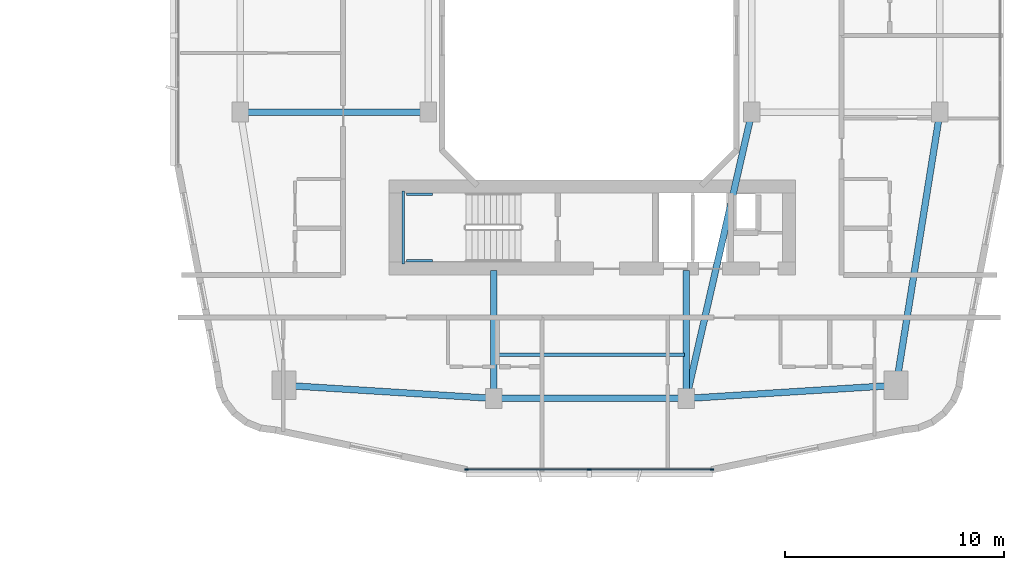
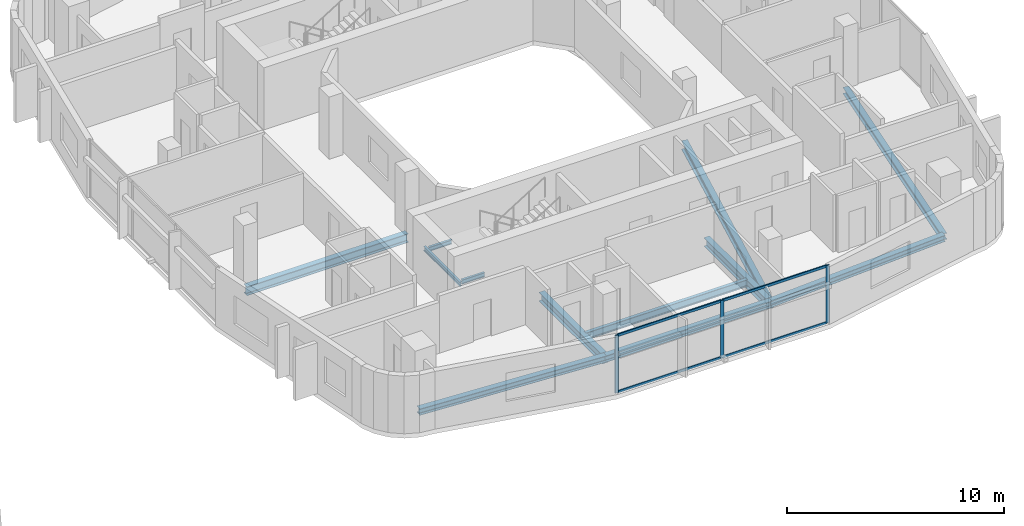
# One storey, part 8 of 27: 12 beams, 7 members, 1 element without a shape of its own.
"""IFC4 building model written with IfcOpenShell, lengths in metres."""

from ifc_helpers import new_model, si_unit, derived_unit, direction, frame, origin, origin_2d, place, context, subcontext, project, spatial, rectangle, i_section, extrude, material, layer, layer_set, material_profile, profile_set, type_object, element, aggregate, save


model = new_model("IFC4")

# Units and contexts
model_context = context("Model", 3, precision=1e-05, world=origin(), true_north=direction((0.0, 1.0)))
body_context = subcontext(model_context, "Body", "Model", "MODEL_VIEW")
ifc_project = project(units=[si_unit("LENGTHUNIT", "METRE"), si_unit("AREAUNIT", "SQUARE_METRE"), si_unit("VOLUMEUNIT", "CUBIC_METRE"), si_unit("PLANEANGLEUNIT", "RADIAN"), si_unit("MASSUNIT", "GRAM", prefix="KILO"), derived_unit("THERMALTRANSMITTANCEUNIT", [(si_unit("POWERUNIT", "WATT"), 1), (si_unit("LENGTHUNIT", "METRE"), -2), (si_unit("THERMODYNAMICTEMPERATUREUNIT", "KELVIN"), -1)])], contexts=[model_context])

# Site, building, storey
site_placement = place(None, origin())
site = spatial("IfcSite", under=ifc_project, at=site_placement, CompositionType="ELEMENT")
building_placement = place(site_placement, origin())
building = spatial("IfcBuilding", under=site, at=building_placement, Name="Kivonza Crest Hotel", CompositionType="ELEMENT")
storey_placement = place(building_placement, frame((0.0, 0.0, 34.5)))
storey = spatial("IfcBuildingStorey", under=building, at=storey_placement, Name="L08", CompositionType="ELEMENT", Elevation=34.5)

# Beams
ifc_material_1 = material(Name="Steel S355", Category="steel")
ifc_material_profile_1 = material_profile(ifc_material_1, i_section(OverallWidth=0.300048828125, OverallDepth=0.360107421875, WebThickness=0.012451171875, FlangeThickness=0.0224609375, FilletRadius=0.027099609375, at=origin_2d()), Name="HEB 360")
ifc_profile_set_1 = profile_set([ifc_material_profile_1], Name="Steel S355")
beam_type_1 = type_object("IfcBeamType", Name="BM-HEB360", PredefinedType="SPANDREL", material=ifc_profile_set_1)
beam_1_placement = place(storey_placement, frame((72.60009765625, 8.39990234375, -0.429931640625), z_axis=(1.0, 0.0, 0.0), x_axis=(0.0, 1.0, 0.0)))
element("IfcBeam", 1, at=beam_1_placement, inside=storey, type_object=beam_type_1, Name="Companion Tower T2 L08 perimeter spandrel S1-S2", PredefinedType="SPANDREL", context=body_context, shape_type="SweptSolid", body=[
    extrude(i_section(OverallWidth=0.300048828125, OverallDepth=0.360107421875, WebThickness=0.012451171875, FlangeThickness=0.0224609375, FilletRadius=0.027099609375, at=origin_2d()), origin(), (0.0, 0.0, 1.0), 8.7998046875),
])
beam_2_placement = place(storey_placement, frame((81.39990234375, 8.39990234375, -0.429931640625), z_axis=(0.998051985873, 0.062387767186, 0.0), x_axis=(-0.062387767186, 0.998051985873, 0.0)))
element("IfcBeam", 2, at=beam_2_placement, inside=storey, type_object=beam_type_1, Name="Companion Tower T2 L08 perimeter spandrel S2-SE", PredefinedType="SPANDREL", context=body_context, shape_type="SweptSolid", body=[
    extrude(i_section(OverallWidth=0.300048828125, OverallDepth=0.360107421875, WebThickness=0.012451171875, FlangeThickness=0.0224609375, FilletRadius=0.027099609375, at=origin_2d()), origin(), (0.0, 0.0, 1.0), 9.618896484375),
])
beam_3_placement = place(storey_placement, frame((91.0, 9.0, -0.429931640625), z_axis=(0.157990501107, 0.987440631917, 0.0), x_axis=(-0.987440631917, 0.157990501107, 0.0)))
element("IfcBeam", 3, at=beam_3_placement, inside=storey, type_object=beam_type_1, Name="Companion Tower T2 L08 perimeter spandrel SE-E1", PredefinedType="SPANDREL", context=body_context, shape_type="SweptSolid", body=[
    extrude(i_section(OverallWidth=0.300048828125, OverallDepth=0.360107421875, WebThickness=0.012451171875, FlangeThickness=0.0224609375, FilletRadius=0.027099609375, at=origin_2d()), origin(), (0.0, 0.0, 1.0), 12.658935546875),
])
beam_4_placement = place(storey_placement, frame((63.0, 9.0, -0.429931640625), z_axis=(0.998051985873, -0.062387767186, 0.0), x_axis=(0.062387767186, 0.998051985873, 0.0)))
element("IfcBeam", 4, at=beam_4_placement, inside=storey, type_object=beam_type_1, Name="Companion Tower T2 L08 perimeter spandrel SW-S1", PredefinedType="SPANDREL", context=body_context, shape_type="SweptSolid", body=[
    extrude(i_section(OverallWidth=0.300048828125, OverallDepth=0.360107421875, WebThickness=0.012451171875, FlangeThickness=0.0224609375, FilletRadius=0.027099609375, at=origin_2d()), origin(), (0.0, 0.0, 1.0), 9.618896484375),
])
ifc_material_profile_2 = material_profile(ifc_material_1, i_section(OverallWidth=0.300048828125, OverallDepth=0.5, WebThickness=0.014404296875, FlangeThickness=0.028076171875, FilletRadius=0.027099609375, at=origin_2d()), Name="HEB 500")
ifc_profile_set_2 = profile_set([ifc_material_profile_2], Name="Steel S355")
beam_type_2 = type_object("IfcBeamType", Name="BM-HEB500", PredefinedType="BEAM", material=ifc_profile_set_2)
beam_5_placement = place(storey_placement, frame((61.0, 21.5, -0.5), z_axis=(1.0, 0.0, 0.0), x_axis=(0.0, 1.0, 0.0)))
element("IfcBeam", 5, at=beam_5_placement, inside=storey, type_object=beam_type_2, Name="Companion Tower T2 L08 girder W1-WL1", PredefinedType="BEAM", context=body_context, shape_type="SweptSolid", body=[
    extrude(i_section(OverallWidth=0.300048828125, OverallDepth=0.5, WebThickness=0.014404296875, FlangeThickness=0.028076171875, FilletRadius=0.027099609375, at=origin_2d()), origin(), (0.0, 0.0, 1.0), 8.60009765625),
])
beam_6_placement = place(storey_placement, frame((84.39990234375, 21.5, -0.5), z_axis=(-0.223227287589, -0.974766422317, 0.0), x_axis=(0.974766422317, -0.223227287589, 0.0)))
element("IfcBeam", 6, at=beam_6_placement, inside=storey, type_object=beam_type_2, Name="Companion Tower T2 L08 girder WR1-S2", PredefinedType="BEAM", context=body_context, shape_type="SweptSolid", body=[
    extrude(i_section(OverallWidth=0.300048828125, OverallDepth=0.5, WebThickness=0.014404296875, FlangeThickness=0.028076171875, FilletRadius=0.027099609375, at=origin_2d()), origin(), (0.0, 0.0, 1.0), 13.439208984375),
])
for number, where, z_axis, x_axis, name in (
    (7, (72.60009765625, 8.39990234375, -0.5), (0.0, 1.0, 0.0), (-1.0, 0.0, 0.0), "Companion T2 L08 radial core girder RS1"),
    (8, (81.39990234375, 8.39990234375, -0.5), (0.0, 1.0, 0.0), (-1.0, 0.0, 0.0), "Companion T2 L08 radial core girder RS2"),
):
    element("IfcBeam", number, at=place(storey_placement, frame(where, z_axis=z_axis, x_axis=x_axis)), inside=storey, type_object=beam_type_2, Name=name, PredefinedType="BEAM", context=body_context, shape_type="SweptSolid", body=[
        extrude(i_section(OverallWidth=0.300048828125, OverallDepth=0.5, WebThickness=0.014404296875, FlangeThickness=0.028076171875, FilletRadius=0.027099609375, at=origin_2d()), origin(), (0.0, 0.0, 1.0), 5.85009765625),
    ])
ifc_material_profile_3 = material_profile(ifc_material_1, i_section(OverallWidth=0.179931640625, OverallDepth=0.39990234375, WebThickness=0.008544921875, FlangeThickness=0.013427734375, FilletRadius=0.02099609375, at=origin_2d()), Name="IPE 400")
ifc_profile_set_3 = profile_set([ifc_material_profile_3], Name="Steel S355")
beam_type_3 = type_object("IfcBeamType", Name="BM-IPE400", PredefinedType="JOIST", material=ifc_profile_set_3)
beam_7_placement = place(storey_placement, frame((72.679931640625, 10.39990234375, -0.449951171875), z_axis=(1.0, 0.0, 0.0), x_axis=(0.0, 1.0, 0.0)))
element("IfcBeam", 9, at=beam_7_placement, inside=storey, type_object=beam_type_3, Name="Companion Tower T2 L08 South floor joist", PredefinedType="JOIST", context=body_context, shape_type="SweptSolid", body=[
    extrude(i_section(OverallWidth=0.179931640625, OverallDepth=0.39990234375, WebThickness=0.008544921875, FlangeThickness=0.013427734375, FilletRadius=0.02099609375, at=origin_2d()), origin(), (0.0, 0.0, 1.0), 8.64013671875),
])
ifc_material_profile_4 = material_profile(ifc_material_1, i_section(OverallWidth=0.1201171875, OverallDepth=0.239990234375, WebThickness=0.006103515625, FlangeThickness=0.009765625, FilletRadius=0.014892578125, at=origin_2d()), Name="IPE 240")
ifc_profile_set_4 = profile_set([ifc_material_profile_4], Name="Steel S355")
beam_type_4 = type_object("IfcBeamType", Name="BM-LLDG-240", PredefinedType="BEAM", material=ifc_profile_set_4)
beam_8_placement = place(storey_placement, frame((68.4599609375, 14.5400390625, 1.429931640625), z_axis=(0.0, 1.0, 0.0), x_axis=(-1.0, 0.0, 0.0)))
element("IfcBeam", 10, at=beam_8_placement, inside=storey, type_object=beam_type_4, Name="Stair ST-T2-S L08 West landing corbel", PredefinedType="BEAM", context=body_context, shape_type="SweptSolid", body=[
    extrude(i_section(OverallWidth=0.1201171875, OverallDepth=0.239990234375, WebThickness=0.006103515625, FlangeThickness=0.009765625, FilletRadius=0.014892578125, at=origin_2d()), origin(), (0.0, 0.0, 1.0), 3.35986328125),
])
for number, where, z_axis, x_axis, name in (
    (11, (68.590087890625, 14.699951171875, 1.429931640625), (1.0, 0.0, 0.0), (0.0, 1.0, 0.0), "Stair ST-T2-S L08 South landing corbel"),
    (12, (68.590087890625, 17.739990234375, 1.429931640625), (1.0, 0.0, 0.0), (0.0, 1.0, 0.0), "Stair ST-T2-S L08 North landing corbel"),
):
    element("IfcBeam", number, at=place(storey_placement, frame(where, z_axis=z_axis, x_axis=x_axis)), inside=storey, type_object=beam_type_4, Name=name, PredefinedType="BEAM", context=body_context, shape_type="SweptSolid", body=[
        extrude(i_section(OverallWidth=0.1201171875, OverallDepth=0.239990234375, WebThickness=0.006103515625, FlangeThickness=0.009765625, FilletRadius=0.014892578125, at=origin_2d()), origin(), (0.0, 0.0, 1.0), 1.2099609375),
    ])

# Curtain wall, members
ifc_material_2 = material(Name="Anodised bronze aluminium and low-E double glazing", Category="aluminium")
ifc_layer = layer(ifc_material_2, 0.179931640625)
ifc_layer_set = layer_set([ifc_layer], Name="Anodised bronze aluminium and low-E double glazing")
curtain_wall_type = type_object("IfcCurtainWallType", Name="CW-SYS-4", PredefinedType="NOTDEFINED", material=ifc_layer_set)
curtain_wall_placement = place(storey_placement, origin())
curtain_wall = element("IfcCurtainWall", 13, at=curtain_wall_placement, inside=storey, type_object=curtain_wall_type, Name="L08 unitised curtain wall CW-T2-L08-08", PredefinedType="NOTDEFINED")
ifc_material_3 = material(Name="Anodised bronze aluminium", Category="aluminium")
ifc_material_profile_5 = material_profile(ifc_material_3, rectangle(XDim=0.06494140625, YDim=0.179931640625, at=origin_2d()), Name="CW-M 65x180")
ifc_profile_set_5 = profile_set([ifc_material_profile_5], Name="Anodised bronze aluminium")
member_type_1 = type_object("IfcMemberType", Name="CW-MUL-65x180", PredefinedType="MULLION", material=ifc_profile_set_5)
member_1_placement = place(storey_placement, frame((71.344482421875, 5.159912109375, 0.0), z_axis=(0.0, 0.0, 1.0), x_axis=(0.0, 1.0, 0.0)))
member_1 = element("IfcMember", 14, at=member_1_placement, type_object=member_type_1, Name="CW-4 mullion 1", PredefinedType="MULLION", context=body_context, shape_type="SweptSolid", body=[
    extrude(rectangle(XDim=0.06494140625, YDim=0.179931640625, at=origin_2d()), origin(), (0.0, 0.0, 1.0), 3.25),
])
member_2_placement = place(storey_placement, frame((76.9599609375, 5.159912109375, 0.0), z_axis=(0.0, 0.0, 1.0), x_axis=(0.0, 1.0, 0.0)))
member_2 = element("IfcMember", 15, at=member_2_placement, type_object=member_type_1, Name="CW-4 mullion 2", PredefinedType="MULLION", context=body_context, shape_type="SweptSolid", body=[
    extrude(rectangle(XDim=0.06494140625, YDim=0.179931640625, at=origin_2d()), origin(), (0.0, 0.0, 1.0), 3.25),
])
member_3_placement = place(storey_placement, frame((82.575439453125, 5.159912109375, 0.0), z_axis=(0.0, 0.0, 1.0), x_axis=(0.0, 1.0, 0.0)))
member_3 = element("IfcMember", 16, at=member_3_placement, type_object=member_type_1, Name="CW-4 mullion 3", PredefinedType="MULLION", context=body_context, shape_type="SweptSolid", body=[
    extrude(rectangle(XDim=0.06494140625, YDim=0.179931640625, at=origin_2d()), origin(), (0.0, 0.0, 1.0), 3.25),
])
ifc_material_profile_6 = material_profile(ifc_material_3, rectangle(XDim=0.06494140625, YDim=0.139892578125, at=origin_2d()), Name="CW-T 65x140")
ifc_profile_set_6 = profile_set([ifc_material_profile_6], Name="Anodised bronze aluminium")
member_type_2 = type_object("IfcMemberType", Name="CW-TRN-65x140", PredefinedType="USERDEFINED", material=ifc_profile_set_6)
member_4_placement = place(storey_placement, frame((71.376953125, 5.159912109375, 0.032470703125), z_axis=(1.0, 0.0, 0.0), x_axis=(0.0, 1.0, 0.0)))
member_4 = element("IfcMember", 17, at=member_4_placement, type_object=member_type_2, Name="CW-4 transom 1.1", ObjectType="TRANSOM", PredefinedType="USERDEFINED", context=body_context, shape_type="SweptSolid", body=[
    extrude(rectangle(XDim=0.06494140625, YDim=0.139892578125, at=origin_2d()), origin(), (0.0, 0.0, 1.0), 5.550537109375),
])
member_5_placement = place(storey_placement, frame((71.376953125, 5.159912109375, 3.217529296875), z_axis=(1.0, 0.0, 0.0), x_axis=(0.0, 1.0, 0.0)))
member_5 = element("IfcMember", 18, at=member_5_placement, type_object=member_type_2, Name="CW-4 transom 1.2", ObjectType="TRANSOM", PredefinedType="USERDEFINED", context=body_context, shape_type="SweptSolid", body=[
    extrude(rectangle(XDim=0.06494140625, YDim=0.139892578125, at=origin_2d()), origin(), (0.0, 0.0, 1.0), 5.550537109375),
])
member_6_placement = place(storey_placement, frame((76.992431640625, 5.159912109375, 0.032470703125), z_axis=(1.0, 0.0, 0.0), x_axis=(0.0, 1.0, 0.0)))
member_6 = element("IfcMember", 19, at=member_6_placement, type_object=member_type_2, Name="CW-4 transom 2.1", ObjectType="TRANSOM", PredefinedType="USERDEFINED", context=body_context, shape_type="SweptSolid", body=[
    extrude(rectangle(XDim=0.06494140625, YDim=0.139892578125, at=origin_2d()), origin(), (0.0, 0.0, 1.0), 5.550537109375),
])
member_7_placement = place(storey_placement, frame((76.992431640625, 5.159912109375, 3.217529296875), z_axis=(1.0, 0.0, 0.0), x_axis=(0.0, 1.0, 0.0)))
member_7 = element("IfcMember", 20, at=member_7_placement, type_object=member_type_2, Name="CW-4 transom 2.2", ObjectType="TRANSOM", PredefinedType="USERDEFINED", context=body_context, shape_type="SweptSolid", body=[
    extrude(rectangle(XDim=0.06494140625, YDim=0.139892578125, at=origin_2d()), origin(), (0.0, 0.0, 1.0), 5.550537109375),
])
aggregate(curtain_wall, [member_1, member_2, member_3, member_4, member_5, member_6, member_7])

save(model, "model.ifc")
